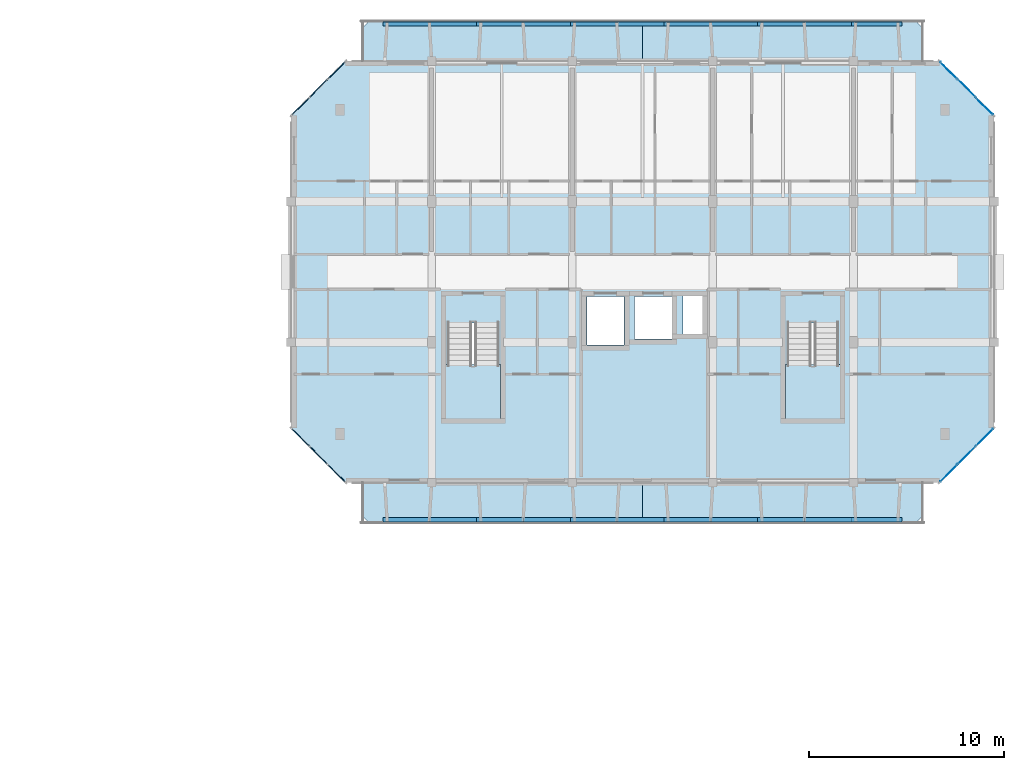
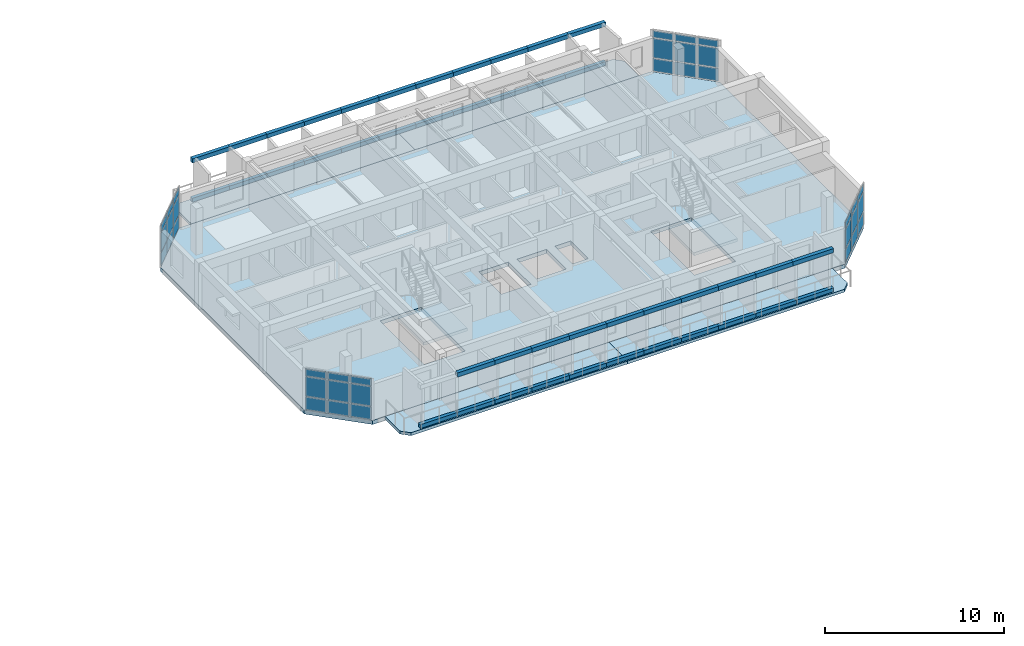
# One storey, part 11 of 30: 79 plates, 7 slabs, 6 elements without a shape of their own.
"""IFC4 building model written with IfcOpenShell, lengths in metres."""

from ifc_helpers import new_model, si_unit, direction, frame, origin, origin_2d, place, context, subcontext, project, spatial, polyline, rectangle, outline, extrude, material, layer, layer_set, type_object, element, aggregate, save


model = new_model("IFC4")

# Units and contexts
model_context = context("Model", 3, precision=1e-05, world=origin(), true_north=direction((0.0, 1.0)))
body_context = subcontext(model_context, "Body", "Model", "MODEL_VIEW")
ifc_project = project(units=[si_unit("LENGTHUNIT", "METRE"), si_unit("AREAUNIT", "SQUARE_METRE"), si_unit("VOLUMEUNIT", "CUBIC_METRE"), si_unit("PLANEANGLEUNIT", "RADIAN"), si_unit("MASSUNIT", "GRAM", prefix="KILO")], contexts=[model_context])

# Site, building, storey
site_placement = place(None, origin())
site = spatial("IfcSite", under=ifc_project, at=site_placement, CompositionType="ELEMENT")
building_placement = place(site_placement, origin())
building = spatial("IfcBuilding", under=site, at=building_placement, Name="Ochrevale Crest", CompositionType="ELEMENT")
storey_placement = place(building_placement, frame((0.0, 0.0, 33.89990234375)))
storey = spatial("IfcBuildingStorey", under=building, at=storey_placement, Name="L10", CompositionType="ELEMENT", Elevation=33.89990234375)

# Curtain wall, plates
ifc_material_1 = material(Name="Anodised aluminium 6063-T5", Category="aluminium")
ifc_layer_1 = layer(ifc_material_1, 0.14990234375)
ifc_layer_set_1 = layer_set([ifc_layer_1], Name="Anodised aluminium 6063-T5")
curtain_wall_type_1 = type_object("IfcCurtainWallType", Name="CW-WG-320x285", PredefinedType="NOTDEFINED", material=ifc_layer_set_1)
curtain_wall_1_placement = place(storey_placement, origin())
curtain_wall_1 = element("IfcCurtainWall", 1, at=curtain_wall_1_placement, inside=storey, type_object=curtain_wall_type_1, Name="Block D L10 chamfered corner wintergarden curtain wall 2", PredefinedType="NOTDEFINED")
ifc_material_2 = material(Name="Double-glazed low-E insulated glass unit", Category="glass")
ifc_layer_2 = layer(ifc_material_2, 0.028076171875)
ifc_layer_set_2 = layer_set([ifc_layer_2], Name="Double-glazed low-E insulated glass unit")
plate_type_1 = type_object("IfcPlateType", Name="CW-PNL-IGU28", PredefinedType="CURTAIN_PANEL", material=ifc_layer_set_2)
plate_1_placement = place(storey_placement, frame((163.280029296875, 72.47998046875, 0.06005859375), z_axis=(0.0, 0.0, 1.0), x_axis=(0.707106781187, 0.707106781187, 0.0)))
plate_1 = element("IfcPlate", 2, at=plate_1_placement, type_object=plate_type_1, Name="CW17 panel 1.1", PredefinedType="CURTAIN_PANEL", context=body_context, shape_type="SweptSolid", body=[
    extrude(rectangle(XDim=1.20751953125, YDim=0.028076171875, at=origin_2d()), origin(), (0.0, 0.0, 1.0), 0.860107421875),
])
plate_2_placement = place(storey_placement, frame((163.280029296875, 72.47998046875, 0.980224609375), z_axis=(0.0, 0.0, 1.0), x_axis=(0.707106781187, 0.707106781187, 0.0)))
plate_2 = element("IfcPlate", 3, at=plate_2_placement, type_object=plate_type_1, Name="CW17 panel 1.2", PredefinedType="CURTAIN_PANEL", context=body_context, shape_type="SweptSolid", body=[
    extrude(rectangle(XDim=1.20751953125, YDim=0.028076171875, at=origin_2d()), origin(), (0.0, 0.0, 1.0), 1.31494140625),
])
plate_3_placement = place(storey_placement, frame((163.280029296875, 72.47998046875, 2.355224609375), z_axis=(0.0, 0.0, 1.0), x_axis=(0.707106781187, 0.707106781187, 0.0)))
plate_3 = element("IfcPlate", 4, at=plate_3_placement, type_object=plate_type_1, Name="CW17 panel 1.3", PredefinedType="CURTAIN_PANEL", context=body_context, shape_type="SweptSolid", body=[
    extrude(rectangle(XDim=1.20751953125, YDim=0.028076171875, at=origin_2d()), origin(), (0.0, 0.0, 1.0), 0.4599609375),
])
plate_4_placement = place(storey_placement, frame((164.199951171875, 73.39990234375, 0.06005859375), z_axis=(0.0, 0.0, 1.0), x_axis=(0.707106781187, 0.707106781187, 0.0)))
plate_4 = element("IfcPlate", 5, at=plate_4_placement, type_object=plate_type_1, Name="CW17 panel 2.1", PredefinedType="CURTAIN_PANEL", context=body_context, shape_type="SweptSolid", body=[
    extrude(rectangle(XDim=1.244873046875, YDim=0.028076171875, at=origin_2d()), origin(), (0.0, 0.0, 1.0), 0.860107421875),
])
plate_5_placement = place(storey_placement, frame((164.199951171875, 73.39990234375, 0.980224609375), z_axis=(0.0, 0.0, 1.0), x_axis=(0.707106781187, 0.707106781187, 0.0)))
plate_5 = element("IfcPlate", 6, at=plate_5_placement, type_object=plate_type_1, Name="CW17 panel 2.2", PredefinedType="CURTAIN_PANEL", context=body_context, shape_type="SweptSolid", body=[
    extrude(rectangle(XDim=1.244873046875, YDim=0.028076171875, at=origin_2d()), origin(), (0.0, 0.0, 1.0), 1.31494140625),
])
plate_6_placement = place(storey_placement, frame((164.199951171875, 73.39990234375, 2.355224609375), z_axis=(0.0, 0.0, 1.0), x_axis=(0.707106781187, 0.707106781187, 0.0)))
plate_6 = element("IfcPlate", 7, at=plate_6_placement, type_object=plate_type_1, Name="CW17 panel 2.3", PredefinedType="CURTAIN_PANEL", context=body_context, shape_type="SweptSolid", body=[
    extrude(rectangle(XDim=1.244873046875, YDim=0.028076171875, at=origin_2d()), origin(), (0.0, 0.0, 1.0), 0.4599609375),
])
plate_7_placement = place(storey_placement, frame((165.1201171875, 74.320068359375, 0.06005859375), z_axis=(0.0, 0.0, 1.0), x_axis=(0.707106781187, 0.707106781187, 0.0)))
plate_7 = element("IfcPlate", 8, at=plate_7_placement, type_object=plate_type_1, Name="CW17 panel 3.1", PredefinedType="CURTAIN_PANEL", context=body_context, shape_type="SweptSolid", body=[
    extrude(rectangle(XDim=1.20751953125, YDim=0.028076171875, at=origin_2d()), origin(), (0.0, 0.0, 1.0), 0.860107421875),
])
plate_8_placement = place(storey_placement, frame((165.1201171875, 74.320068359375, 0.980224609375), z_axis=(0.0, 0.0, 1.0), x_axis=(0.707106781187, 0.707106781187, 0.0)))
plate_8 = element("IfcPlate", 9, at=plate_8_placement, type_object=plate_type_1, Name="CW17 panel 3.2", PredefinedType="CURTAIN_PANEL", context=body_context, shape_type="SweptSolid", body=[
    extrude(rectangle(XDim=1.20751953125, YDim=0.028076171875, at=origin_2d()), origin(), (0.0, 0.0, 1.0), 1.31494140625),
])
plate_9_placement = place(storey_placement, frame((165.1201171875, 74.320068359375, 2.355224609375), z_axis=(0.0, 0.0, 1.0), x_axis=(0.707106781187, 0.707106781187, 0.0)))
plate_9 = element("IfcPlate", 10, at=plate_9_placement, type_object=plate_type_1, Name="CW17 panel 3.3", PredefinedType="CURTAIN_PANEL", context=body_context, shape_type="SweptSolid", body=[
    extrude(rectangle(XDim=1.20751953125, YDim=0.028076171875, at=origin_2d()), origin(), (0.0, 0.0, 1.0), 0.4599609375),
])
aggregate(curtain_wall_1, [plate_1, plate_2, plate_3, plate_4, plate_5, plate_6, plate_7, plate_8, plate_9])

ifc_layer_3 = layer(ifc_material_1, 0.14990234375)
ifc_layer_set_3 = layer_set([ifc_layer_3], Name="Anodised aluminium 6063-T5")
curtain_wall_type_2 = type_object("IfcCurtainWallType", Name="CW-WG-420x285", PredefinedType="NOTDEFINED", material=ifc_layer_set_3)
curtain_wall_2_placement = place(storey_placement, origin())
curtain_wall_2 = element("IfcCurtainWall", 11, at=curtain_wall_2_placement, inside=storey, type_object=curtain_wall_type_2, Name="Block D L10 chamfered corner wintergarden curtain wall 4", PredefinedType="NOTDEFINED")
plate_10_placement = place(storey_placement, frame((165.1201171875, 91.280029296875, 0.06005859375), z_axis=(0.0, 0.0, 1.0), x_axis=(-0.707106781187, 0.707106781187, 0.0)))
plate_10 = element("IfcPlate", 12, at=plate_10_placement, type_object=plate_type_1, Name="CW22 panel 1.1", PredefinedType="CURTAIN_PANEL", context=body_context, shape_type="SweptSolid", body=[
    extrude(rectangle(XDim=1.20751953125, YDim=0.028076171875, at=origin_2d()), origin(), (0.0, 0.0, 1.0), 0.860107421875),
])
plate_11_placement = place(storey_placement, frame((165.1201171875, 91.280029296875, 0.980224609375), z_axis=(0.0, 0.0, 1.0), x_axis=(-0.707106781187, 0.707106781187, 0.0)))
plate_11 = element("IfcPlate", 13, at=plate_11_placement, type_object=plate_type_1, Name="CW22 panel 1.2", PredefinedType="CURTAIN_PANEL", context=body_context, shape_type="SweptSolid", body=[
    extrude(rectangle(XDim=1.20751953125, YDim=0.028076171875, at=origin_2d()), origin(), (0.0, 0.0, 1.0), 1.31494140625),
])
plate_12_placement = place(storey_placement, frame((165.1201171875, 91.280029296875, 2.355224609375), z_axis=(0.0, 0.0, 1.0), x_axis=(-0.707106781187, 0.707106781187, 0.0)))
plate_12 = element("IfcPlate", 14, at=plate_12_placement, type_object=plate_type_1, Name="CW22 panel 1.3", PredefinedType="CURTAIN_PANEL", context=body_context, shape_type="SweptSolid", body=[
    extrude(rectangle(XDim=1.20751953125, YDim=0.028076171875, at=origin_2d()), origin(), (0.0, 0.0, 1.0), 0.4599609375),
])
plate_13_placement = place(storey_placement, frame((164.199951171875, 92.199951171875, 0.06005859375), z_axis=(0.0, 0.0, 1.0), x_axis=(-0.707106781187, 0.707106781187, 0.0)))
plate_13 = element("IfcPlate", 15, at=plate_13_placement, type_object=plate_type_1, Name="CW22 panel 2.1", PredefinedType="CURTAIN_PANEL", context=body_context, shape_type="SweptSolid", body=[
    extrude(rectangle(XDim=1.244873046875, YDim=0.028076171875, at=origin_2d()), origin(), (0.0, 0.0, 1.0), 0.860107421875),
])
plate_14_placement = place(storey_placement, frame((164.199951171875, 92.199951171875, 0.980224609375), z_axis=(0.0, 0.0, 1.0), x_axis=(-0.707106781187, 0.707106781187, 0.0)))
plate_14 = element("IfcPlate", 16, at=plate_14_placement, type_object=plate_type_1, Name="CW22 panel 2.2", PredefinedType="CURTAIN_PANEL", context=body_context, shape_type="SweptSolid", body=[
    extrude(rectangle(XDim=1.244873046875, YDim=0.028076171875, at=origin_2d()), origin(), (0.0, 0.0, 1.0), 1.31494140625),
])
plate_15_placement = place(storey_placement, frame((164.199951171875, 92.199951171875, 2.355224609375), z_axis=(0.0, 0.0, 1.0), x_axis=(-0.707106781187, 0.707106781187, 0.0)))
plate_15 = element("IfcPlate", 17, at=plate_15_placement, type_object=plate_type_1, Name="CW22 panel 2.3", PredefinedType="CURTAIN_PANEL", context=body_context, shape_type="SweptSolid", body=[
    extrude(rectangle(XDim=1.244873046875, YDim=0.028076171875, at=origin_2d()), origin(), (0.0, 0.0, 1.0), 0.4599609375),
])
plate_16_placement = place(storey_placement, frame((163.280029296875, 93.1201171875, 0.06005859375), z_axis=(0.0, 0.0, 1.0), x_axis=(-0.707106781187, 0.707106781187, 0.0)))
plate_16 = element("IfcPlate", 18, at=plate_16_placement, type_object=plate_type_1, Name="CW22 panel 3.1", PredefinedType="CURTAIN_PANEL", context=body_context, shape_type="SweptSolid", body=[
    extrude(rectangle(XDim=1.20751953125, YDim=0.028076171875, at=origin_2d()), origin(), (0.0, 0.0, 1.0), 0.860107421875),
])
plate_17_placement = place(storey_placement, frame((163.280029296875, 93.1201171875, 0.980224609375), z_axis=(0.0, 0.0, 1.0), x_axis=(-0.707106781187, 0.707106781187, 0.0)))
plate_17 = element("IfcPlate", 19, at=plate_17_placement, type_object=plate_type_1, Name="CW22 panel 3.2", PredefinedType="CURTAIN_PANEL", context=body_context, shape_type="SweptSolid", body=[
    extrude(rectangle(XDim=1.20751953125, YDim=0.028076171875, at=origin_2d()), origin(), (0.0, 0.0, 1.0), 1.31494140625),
])
plate_18_placement = place(storey_placement, frame((163.280029296875, 93.1201171875, 2.355224609375), z_axis=(0.0, 0.0, 1.0), x_axis=(-0.707106781187, 0.707106781187, 0.0)))
plate_18 = element("IfcPlate", 20, at=plate_18_placement, type_object=plate_type_1, Name="CW22 panel 3.3", PredefinedType="CURTAIN_PANEL", context=body_context, shape_type="SweptSolid", body=[
    extrude(rectangle(XDim=1.20751953125, YDim=0.028076171875, at=origin_2d()), origin(), (0.0, 0.0, 1.0), 0.4599609375),
])
aggregate(curtain_wall_2, [plate_10, plate_11, plate_12, plate_13, plate_14, plate_15, plate_16, plate_17, plate_18])

ifc_layer_4 = layer(ifc_material_1, 0.14990234375)
ifc_layer_set_4 = layer_set([ifc_layer_4], Name="Anodised aluminium 6063-T5")
curtain_wall_type_3 = type_object("IfcCurtainWallType", Name="CW-WG-280x285", PredefinedType="NOTDEFINED", material=ifc_layer_set_4)
curtain_wall_3_placement = place(storey_placement, origin())
curtain_wall_3 = element("IfcCurtainWall", 21, at=curtain_wall_3_placement, inside=storey, type_object=curtain_wall_type_3, Name="Block D L10 chamfered corner wintergarden curtain wall 6", PredefinedType="NOTDEFINED")
ifc_material_3 = material(Name="Acoustic laminated low-E insulated glass unit", Category="glass")
ifc_layer_5 = layer(ifc_material_3, 0.0380859375)
ifc_layer_set_5 = layer_set([ifc_layer_5], Name="Acoustic laminated low-E insulated glass unit")
plate_type_2 = type_object("IfcPlateType", Name="CW-PNL-IGU38", PredefinedType="CURTAIN_PANEL", material=ifc_layer_set_5)
plate_19_placement = place(storey_placement, frame((131.920166015625, 93.1201171875, 0.06005859375), z_axis=(0.0, 0.0, 1.0), x_axis=(-0.707106781187, -0.707106781187, 0.0)))
plate_19 = element("IfcPlate", 22, at=plate_19_placement, type_object=plate_type_2, Name="CW16 panel 1.1", PredefinedType="CURTAIN_PANEL", context=body_context, shape_type="SweptSolid", body=[
    extrude(rectangle(XDim=1.20751953125, YDim=0.0380859375, at=origin_2d()), origin(), (0.0, 0.0, 1.0), 0.860107421875),
])
plate_20_placement = place(storey_placement, frame((131.920166015625, 93.1201171875, 0.980224609375), z_axis=(0.0, 0.0, 1.0), x_axis=(-0.707106781187, -0.707106781187, 0.0)))
plate_20 = element("IfcPlate", 23, at=plate_20_placement, type_object=plate_type_2, Name="CW16 panel 1.2", PredefinedType="CURTAIN_PANEL", context=body_context, shape_type="SweptSolid", body=[
    extrude(rectangle(XDim=1.20751953125, YDim=0.0380859375, at=origin_2d()), origin(), (0.0, 0.0, 1.0), 1.31494140625),
])
plate_21_placement = place(storey_placement, frame((131.920166015625, 93.1201171875, 2.355224609375), z_axis=(0.0, 0.0, 1.0), x_axis=(-0.707106781187, -0.707106781187, 0.0)))
plate_21 = element("IfcPlate", 24, at=plate_21_placement, type_object=plate_type_2, Name="CW16 panel 1.3", PredefinedType="CURTAIN_PANEL", context=body_context, shape_type="SweptSolid", body=[
    extrude(rectangle(XDim=1.20751953125, YDim=0.0380859375, at=origin_2d()), origin(), (0.0, 0.0, 1.0), 0.4599609375),
])
plate_22_placement = place(storey_placement, frame((131.0, 92.199951171875, 0.06005859375), z_axis=(0.0, 0.0, 1.0), x_axis=(-0.707106781187, -0.707106781187, 0.0)))
plate_22 = element("IfcPlate", 25, at=plate_22_placement, type_object=plate_type_2, Name="CW16 panel 2.1", PredefinedType="CURTAIN_PANEL", context=body_context, shape_type="SweptSolid", body=[
    extrude(rectangle(XDim=1.244873046875, YDim=0.0380859375, at=origin_2d()), origin(), (0.0, 0.0, 1.0), 0.860107421875),
])
plate_23_placement = place(storey_placement, frame((131.0, 92.199951171875, 0.980224609375), z_axis=(0.0, 0.0, 1.0), x_axis=(-0.707106781187, -0.707106781187, 0.0)))
plate_23 = element("IfcPlate", 26, at=plate_23_placement, type_object=plate_type_2, Name="CW16 panel 2.2", PredefinedType="CURTAIN_PANEL", context=body_context, shape_type="SweptSolid", body=[
    extrude(rectangle(XDim=1.244873046875, YDim=0.0380859375, at=origin_2d()), origin(), (0.0, 0.0, 1.0), 1.31494140625),
])
plate_24_placement = place(storey_placement, frame((131.0, 92.199951171875, 2.355224609375), z_axis=(0.0, 0.0, 1.0), x_axis=(-0.707106781187, -0.707106781187, 0.0)))
plate_24 = element("IfcPlate", 27, at=plate_24_placement, type_object=plate_type_2, Name="CW16 panel 2.3", PredefinedType="CURTAIN_PANEL", context=body_context, shape_type="SweptSolid", body=[
    extrude(rectangle(XDim=1.244873046875, YDim=0.0380859375, at=origin_2d()), origin(), (0.0, 0.0, 1.0), 0.4599609375),
])
plate_25_placement = place(storey_placement, frame((130.079833984375, 91.280029296875, 0.06005859375), z_axis=(0.0, 0.0, 1.0), x_axis=(-0.707106781187, -0.707106781187, 0.0)))
plate_25 = element("IfcPlate", 28, at=plate_25_placement, type_object=plate_type_2, Name="CW16 panel 3.1", PredefinedType="CURTAIN_PANEL", context=body_context, shape_type="SweptSolid", body=[
    extrude(rectangle(XDim=1.20751953125, YDim=0.0380859375, at=origin_2d()), origin(), (0.0, 0.0, 1.0), 0.860107421875),
])
plate_26_placement = place(storey_placement, frame((130.079833984375, 91.280029296875, 0.980224609375), z_axis=(0.0, 0.0, 1.0), x_axis=(-0.707106781187, -0.707106781187, 0.0)))
plate_26 = element("IfcPlate", 29, at=plate_26_placement, type_object=plate_type_2, Name="CW16 panel 3.2", PredefinedType="CURTAIN_PANEL", context=body_context, shape_type="SweptSolid", body=[
    extrude(rectangle(XDim=1.20751953125, YDim=0.0380859375, at=origin_2d()), origin(), (0.0, 0.0, 1.0), 1.31494140625),
])
plate_27_placement = place(storey_placement, frame((130.079833984375, 91.280029296875, 2.355224609375), z_axis=(0.0, 0.0, 1.0), x_axis=(-0.707106781187, -0.707106781187, 0.0)))
plate_27 = element("IfcPlate", 30, at=plate_27_placement, type_object=plate_type_2, Name="CW16 panel 3.3", PredefinedType="CURTAIN_PANEL", context=body_context, shape_type="SweptSolid", body=[
    extrude(rectangle(XDim=1.20751953125, YDim=0.0380859375, at=origin_2d()), origin(), (0.0, 0.0, 1.0), 0.4599609375),
])
aggregate(curtain_wall_3, [plate_19, plate_20, plate_21, plate_22, plate_23, plate_24, plate_25, plate_26, plate_27])

ifc_layer_6 = layer(ifc_material_1, 0.14990234375)
ifc_layer_set_6 = layer_set([ifc_layer_6], Name="Anodised aluminium 6063-T5")
curtain_wall_type_4 = type_object("IfcCurtainWallType", Name="CW-WG-360x285", PredefinedType="NOTDEFINED", material=ifc_layer_set_6)
curtain_wall_4_placement = place(storey_placement, origin())
curtain_wall_4 = element("IfcCurtainWall", 31, at=curtain_wall_4_placement, inside=storey, type_object=curtain_wall_type_4, Name="Block D L10 chamfered corner wintergarden curtain wall 8", PredefinedType="NOTDEFINED")
plate_28_placement = place(storey_placement, frame((130.079833984375, 74.320068359375, 0.06005859375), z_axis=(0.0, 0.0, 1.0), x_axis=(0.707106781187, -0.707106781187, 0.0)))
plate_28 = element("IfcPlate", 32, at=plate_28_placement, type_object=plate_type_2, Name="CW18 panel 1.1", PredefinedType="CURTAIN_PANEL", context=body_context, shape_type="SweptSolid", body=[
    extrude(rectangle(XDim=1.20751953125, YDim=0.0380859375, at=origin_2d()), origin(), (0.0, 0.0, 1.0), 0.860107421875),
])
plate_29_placement = place(storey_placement, frame((130.079833984375, 74.320068359375, 0.980224609375), z_axis=(0.0, 0.0, 1.0), x_axis=(0.707106781187, -0.707106781187, 0.0)))
plate_29 = element("IfcPlate", 33, at=plate_29_placement, type_object=plate_type_2, Name="CW18 panel 1.2", PredefinedType="CURTAIN_PANEL", context=body_context, shape_type="SweptSolid", body=[
    extrude(rectangle(XDim=1.20751953125, YDim=0.0380859375, at=origin_2d()), origin(), (0.0, 0.0, 1.0), 1.31494140625),
])
plate_30_placement = place(storey_placement, frame((130.079833984375, 74.320068359375, 2.355224609375), z_axis=(0.0, 0.0, 1.0), x_axis=(0.707106781187, -0.707106781187, 0.0)))
plate_30 = element("IfcPlate", 34, at=plate_30_placement, type_object=plate_type_2, Name="CW18 panel 1.3", PredefinedType="CURTAIN_PANEL", context=body_context, shape_type="SweptSolid", body=[
    extrude(rectangle(XDim=1.20751953125, YDim=0.0380859375, at=origin_2d()), origin(), (0.0, 0.0, 1.0), 0.4599609375),
])
plate_31_placement = place(storey_placement, frame((131.0, 73.39990234375, 0.06005859375), z_axis=(0.0, 0.0, 1.0), x_axis=(0.707106781187, -0.707106781187, 0.0)))
plate_31 = element("IfcPlate", 35, at=plate_31_placement, type_object=plate_type_2, Name="CW18 panel 2.1", PredefinedType="CURTAIN_PANEL", context=body_context, shape_type="SweptSolid", body=[
    extrude(rectangle(XDim=1.244873046875, YDim=0.0380859375, at=origin_2d()), origin(), (0.0, 0.0, 1.0), 0.860107421875),
])
plate_32_placement = place(storey_placement, frame((131.0, 73.39990234375, 0.980224609375), z_axis=(0.0, 0.0, 1.0), x_axis=(0.707106781187, -0.707106781187, 0.0)))
plate_32 = element("IfcPlate", 36, at=plate_32_placement, type_object=plate_type_2, Name="CW18 panel 2.2", PredefinedType="CURTAIN_PANEL", context=body_context, shape_type="SweptSolid", body=[
    extrude(rectangle(XDim=1.244873046875, YDim=0.0380859375, at=origin_2d()), origin(), (0.0, 0.0, 1.0), 1.31494140625),
])
plate_33_placement = place(storey_placement, frame((131.0, 73.39990234375, 2.355224609375), z_axis=(0.0, 0.0, 1.0), x_axis=(0.707106781187, -0.707106781187, 0.0)))
plate_33 = element("IfcPlate", 37, at=plate_33_placement, type_object=plate_type_2, Name="CW18 panel 2.3", PredefinedType="CURTAIN_PANEL", context=body_context, shape_type="SweptSolid", body=[
    extrude(rectangle(XDim=1.244873046875, YDim=0.0380859375, at=origin_2d()), origin(), (0.0, 0.0, 1.0), 0.4599609375),
])
plate_34_placement = place(storey_placement, frame((131.920166015625, 72.47998046875, 0.06005859375), z_axis=(0.0, 0.0, 1.0), x_axis=(0.707106781187, -0.707106781187, 0.0)))
plate_34 = element("IfcPlate", 38, at=plate_34_placement, type_object=plate_type_2, Name="CW18 panel 3.1", PredefinedType="CURTAIN_PANEL", context=body_context, shape_type="SweptSolid", body=[
    extrude(rectangle(XDim=1.20751953125, YDim=0.0380859375, at=origin_2d()), origin(), (0.0, 0.0, 1.0), 0.860107421875),
])
plate_35_placement = place(storey_placement, frame((131.920166015625, 72.47998046875, 0.980224609375), z_axis=(0.0, 0.0, 1.0), x_axis=(0.707106781187, -0.707106781187, 0.0)))
plate_35 = element("IfcPlate", 39, at=plate_35_placement, type_object=plate_type_2, Name="CW18 panel 3.2", PredefinedType="CURTAIN_PANEL", context=body_context, shape_type="SweptSolid", body=[
    extrude(rectangle(XDim=1.20751953125, YDim=0.0380859375, at=origin_2d()), origin(), (0.0, 0.0, 1.0), 1.31494140625),
])
plate_36_placement = place(storey_placement, frame((131.920166015625, 72.47998046875, 2.355224609375), z_axis=(0.0, 0.0, 1.0), x_axis=(0.707106781187, -0.707106781187, 0.0)))
plate_36 = element("IfcPlate", 40, at=plate_36_placement, type_object=plate_type_2, Name="CW18 panel 3.3", PredefinedType="CURTAIN_PANEL", context=body_context, shape_type="SweptSolid", body=[
    extrude(rectangle(XDim=1.20751953125, YDim=0.0380859375, at=origin_2d()), origin(), (0.0, 0.0, 1.0), 0.4599609375),
])
aggregate(curtain_wall_4, [plate_28, plate_29, plate_30, plate_31, plate_32, plate_33, plate_34, plate_35, plate_36])

# Plates
ifc_material_4 = material(Name="Precast concrete C40/50", Category="concrete")
ifc_layer_7 = layer(ifc_material_4, 0.06005859375)
ifc_layer_set_7 = layer_set([ifc_layer_7], Name="Precast concrete C40/50")
plate_type_3 = type_object("IfcPlateType", Name="PLT-HC-HEAD-60", PredefinedType="USERDEFINED", material=ifc_layer_set_7)
for number, where, z_axis, x_axis, name in (
    (41, (138.0, 70.10009765625, 2.669921875), (0.0, 0.0, 1.0), (1.0, 0.0, 0.0), "Block D L10 S honeycomb arched lintel fascia 2"),
    (42, (140.39990234375, 70.10009765625, 2.669921875), (0.0, 0.0, 1.0), (1.0, 0.0, 0.0), "Block D L10 S honeycomb arched lintel fascia 3"),
    (43, (142.800048828125, 70.10009765625, 2.669921875), (0.0, 0.0, 1.0), (1.0, 0.0, 0.0), "Block D L10 S honeycomb arched lintel fascia 4"),
    (44, (145.199951171875, 70.10009765625, 2.669921875), (0.0, 0.0, 1.0), (1.0, 0.0, 0.0), "Block D L10 S honeycomb arched lintel fascia 5"),
    (45, (147.60009765625, 70.10009765625, 2.669921875), (0.0, 0.0, 1.0), (1.0, 0.0, 0.0), "Block D L10 S honeycomb arched lintel fascia 6"),
    (46, (150.0, 70.10009765625, 2.669921875), (0.0, 0.0, 1.0), (1.0, 0.0, 0.0), "Block D L10 S honeycomb arched lintel fascia 7"),
    (47, (152.39990234375, 70.10009765625, 2.669921875), (0.0, 0.0, 1.0), (1.0, 0.0, 0.0), "Block D L10 S honeycomb arched lintel fascia 8"),
    (48, (154.800048828125, 70.10009765625, 2.669921875), (0.0, 0.0, 1.0), (1.0, 0.0, 0.0), "Block D L10 S honeycomb arched lintel fascia 9"),
    (49, (157.199951171875, 70.10009765625, 2.669921875), (0.0, 0.0, 1.0), (1.0, 0.0, 0.0), "Block D L10 S honeycomb arched lintel fascia 10"),
    (50, (159.60009765625, 70.10009765625, 2.669921875), (0.0, 0.0, 1.0), (1.0, 0.0, 0.0), "Block D L10 S honeycomb arched lintel fascia 11"),
    (51, (135.60009765625, 95.5, 2.669921875), (0.0, 0.0, 1.0), (1.0, 0.0, 0.0), "Block D L10 N honeycomb arched lintel fascia 1"),
    (52, (138.0, 95.5, 2.669921875), (0.0, 0.0, 1.0), (1.0, 0.0, 0.0), "Block D L10 N honeycomb arched lintel fascia 2"),
    (53, (140.39990234375, 95.5, 2.669921875), (0.0, 0.0, 1.0), (1.0, 0.0, 0.0), "Block D L10 N honeycomb arched lintel fascia 3"),
    (54, (142.800048828125, 95.5, 2.669921875), (0.0, 0.0, 1.0), (1.0, 0.0, 0.0), "Block D L10 N honeycomb arched lintel fascia 4"),
    (55, (145.199951171875, 95.5, 2.669921875), (0.0, 0.0, 1.0), (1.0, 0.0, 0.0), "Block D L10 N honeycomb arched lintel fascia 5"),
    (56, (147.60009765625, 95.5, 2.669921875), (0.0, 0.0, 1.0), (1.0, 0.0, 0.0), "Block D L10 N honeycomb arched lintel fascia 6"),
    (57, (150.0, 95.5, 2.669921875), (0.0, 0.0, 1.0), (1.0, 0.0, 0.0), "Block D L10 N honeycomb arched lintel fascia 7"),
    (58, (152.39990234375, 95.5, 2.669921875), (0.0, 0.0, 1.0), (1.0, 0.0, 0.0), "Block D L10 N honeycomb arched lintel fascia 8"),
    (59, (154.800048828125, 95.5, 2.669921875), (0.0, 0.0, 1.0), (1.0, 0.0, 0.0), "Block D L10 N honeycomb arched lintel fascia 9"),
    (60, (157.199951171875, 95.5, 2.669921875), (0.0, 0.0, 1.0), (1.0, 0.0, 0.0), "Block D L10 N honeycomb arched lintel fascia 10"),
    (61, (159.60009765625, 95.5, 2.669921875), (0.0, 0.0, 1.0), (1.0, 0.0, 0.0), "Block D L10 N honeycomb arched lintel fascia 11"),
):
    element("IfcPlate", number, at=place(storey_placement, frame(where, z_axis=z_axis, x_axis=x_axis)), inside=storey, type_object=plate_type_3, Name=name, ObjectType="FACADE FASCIA PLATE", PredefinedType="USERDEFINED", context=body_context, shape_type="SweptSolid", body=[
        extrude(rectangle(XDim=2.60009765625, YDim=0.239990234375, at=origin_2d()), origin(), (0.0, 0.0, 1.0), 0.280029296875),
    ])
ifc_layer_8 = layer(ifc_material_4, 0.044921875)
ifc_layer_set_8 = layer_set([ifc_layer_8], Name="Precast concrete C40/50")
plate_type_4 = type_object("IfcPlateType", Name="PLT-HC-SILL-45", PredefinedType="USERDEFINED", material=ifc_layer_set_8)
for number, where, z_axis, x_axis, name in (
    (62, (135.60009765625, 70.10009765625, 0.0), (0.0, 0.0, 1.0), (1.0, 0.0, 0.0), "Block D L10 S honeycomb sill coping plate 1"),
    (63, (138.0, 70.10009765625, 0.0), (0.0, 0.0, 1.0), (1.0, 0.0, 0.0), "Block D L10 S honeycomb sill coping plate 2"),
    (64, (140.39990234375, 70.10009765625, 0.0), (0.0, 0.0, 1.0), (1.0, 0.0, 0.0), "Block D L10 S honeycomb sill coping plate 3"),
    (65, (142.800048828125, 70.10009765625, 0.0), (0.0, 0.0, 1.0), (1.0, 0.0, 0.0), "Block D L10 S honeycomb sill coping plate 4"),
    (66, (145.199951171875, 70.10009765625, 0.0), (0.0, 0.0, 1.0), (1.0, 0.0, 0.0), "Block D L10 S honeycomb sill coping plate 5"),
    (67, (147.60009765625, 70.10009765625, 0.0), (0.0, 0.0, 1.0), (1.0, 0.0, 0.0), "Block D L10 S honeycomb sill coping plate 6"),
    (68, (150.0, 70.10009765625, 0.0), (0.0, 0.0, 1.0), (1.0, 0.0, 0.0), "Block D L10 S honeycomb sill coping plate 7"),
    (69, (152.39990234375, 70.10009765625, 0.0), (0.0, 0.0, 1.0), (1.0, 0.0, 0.0), "Block D L10 S honeycomb sill coping plate 8"),
    (70, (154.800048828125, 70.10009765625, 0.0), (0.0, 0.0, 1.0), (1.0, 0.0, 0.0), "Block D L10 S honeycomb sill coping plate 9"),
    (71, (157.199951171875, 70.10009765625, 0.0), (0.0, 0.0, 1.0), (1.0, 0.0, 0.0), "Block D L10 S honeycomb sill coping plate 10"),
    (72, (159.60009765625, 70.10009765625, 0.0), (0.0, 0.0, 1.0), (1.0, 0.0, 0.0), "Block D L10 S honeycomb sill coping plate 11"),
    (73, (135.60009765625, 95.5, 0.0), (0.0, 0.0, 1.0), (1.0, 0.0, 0.0), "Block D L10 N honeycomb sill coping plate 1"),
    (74, (138.0, 95.5, 0.0), (0.0, 0.0, 1.0), (1.0, 0.0, 0.0), "Block D L10 N honeycomb sill coping plate 2"),
    (75, (140.39990234375, 95.5, 0.0), (0.0, 0.0, 1.0), (1.0, 0.0, 0.0), "Block D L10 N honeycomb sill coping plate 3"),
    (76, (142.800048828125, 95.5, 0.0), (0.0, 0.0, 1.0), (1.0, 0.0, 0.0), "Block D L10 N honeycomb sill coping plate 4"),
    (77, (145.199951171875, 95.5, 0.0), (0.0, 0.0, 1.0), (1.0, 0.0, 0.0), "Block D L10 N honeycomb sill coping plate 5"),
    (78, (147.60009765625, 95.5, 0.0), (0.0, 0.0, 1.0), (1.0, 0.0, 0.0), "Block D L10 N honeycomb sill coping plate 6"),
    (79, (150.0, 95.5, 0.0), (0.0, 0.0, 1.0), (1.0, 0.0, 0.0), "Block D L10 N honeycomb sill coping plate 7"),
    (80, (152.39990234375, 95.5, 0.0), (0.0, 0.0, 1.0), (1.0, 0.0, 0.0), "Block D L10 N honeycomb sill coping plate 8"),
    (81, (154.800048828125, 95.5, 0.0), (0.0, 0.0, 1.0), (1.0, 0.0, 0.0), "Block D L10 N honeycomb sill coping plate 9"),
    (82, (157.199951171875, 95.5, 0.0), (0.0, 0.0, 1.0), (1.0, 0.0, 0.0), "Block D L10 N honeycomb sill coping plate 10"),
    (83, (159.60009765625, 95.5, 0.0), (0.0, 0.0, 1.0), (1.0, 0.0, 0.0), "Block D L10 N honeycomb sill coping plate 11"),
):
    element("IfcPlate", number, at=place(storey_placement, frame(where, z_axis=z_axis, x_axis=x_axis)), inside=storey, type_object=plate_type_4, Name=name, ObjectType="SILL COPING PLATE", PredefinedType="USERDEFINED", context=body_context, shape_type="SweptSolid", body=[
        extrude(rectangle(XDim=2.60009765625, YDim=0.219970703125, at=origin_2d()), origin(), (0.0, 0.0, 1.0), 0.260009765625),
    ])

# Slabs
ifc_layer_9 = layer(ifc_material_4, 0.199951171875)
ifc_layer_set_9 = layer_set([ifc_layer_9], Name="Precast concrete C40/50")
slab_type_1 = type_object("IfcSlabType", Name="SLB-BAL-200", PredefinedType="FLOOR", material=ifc_layer_set_9)
slab_1_placement = place(storey_placement, frame((0.0, 0.0, -0.199951171875)))
element("IfcSlab", 84, at=slab_1_placement, inside=storey, type_object=slab_type_1, Name="Block D L10 S1 precast loggia balcony slab", PredefinedType="FLOOR", context=body_context, shape_type="SweptSolid", body=[
    extrude(outline(polyline([(133.64990234375, 69.89990234375), (147.60009765625, 69.89990234375), (147.60009765625, 72.0), (133.199951171875, 72.0), (133.199951171875, 70.35009765625), (133.64990234375, 69.89990234375)])), origin(), (0.0, 0.0, 1.0), 0.199951171875),
])
slab_2_placement = place(storey_placement, frame((0.0, 0.0, -0.199951171875)))
element("IfcSlab", 85, at=slab_2_placement, inside=storey, type_object=slab_type_1, Name="Block D L10 S2 precast loggia balcony slab", PredefinedType="FLOOR", context=body_context, shape_type="SweptSolid", body=[
    extrude(outline(polyline([(147.60009765625, 69.89990234375), (161.550048828125, 69.89990234375), (162.0, 70.35009765625), (162.0, 72.0), (147.60009765625, 72.0), (147.60009765625, 69.89990234375)])), origin(), (0.0, 0.0, 1.0), 0.199951171875),
])
slab_3_placement = place(storey_placement, frame((0.0, 0.0, -0.199951171875)))
element("IfcSlab", 86, at=slab_3_placement, inside=storey, type_object=slab_type_1, Name="Block D L10 N1 precast loggia balcony slab", PredefinedType="FLOOR", context=body_context, shape_type="SweptSolid", body=[
    extrude(outline(polyline([(133.199951171875, 93.60009765625), (147.60009765625, 93.60009765625), (147.60009765625, 95.699951171875), (133.64990234375, 95.699951171875), (133.199951171875, 95.25), (133.199951171875, 93.60009765625)])), origin(), (0.0, 0.0, 1.0), 0.199951171875),
])
slab_4_placement = place(storey_placement, frame((0.0, 0.0, -0.199951171875)))
element("IfcSlab", 87, at=slab_4_placement, inside=storey, type_object=slab_type_1, Name="Block D L10 N2 precast loggia balcony slab", PredefinedType="FLOOR", context=body_context, shape_type="SweptSolid", body=[
    extrude(outline(polyline([(147.60009765625, 93.60009765625), (162.0, 93.60009765625), (162.0, 95.25), (161.550048828125, 95.699951171875), (147.60009765625, 95.699951171875), (147.60009765625, 93.60009765625)])), origin(), (0.0, 0.0, 1.0), 0.199951171875),
])
ifc_layer_10 = layer(ifc_material_4, 0.27490234375)
ifc_layer_set_10 = layer_set([ifc_layer_10], Name="Precast concrete C40/50")
slab_type_2 = type_object("IfcSlabType", Name="SLB-RES-275", PredefinedType="FLOOR", material=ifc_layer_set_10)
slab_5_placement = place(storey_placement, frame((0.0, 0.0, -0.27490234375)))
element("IfcSlab", 88, at=slab_5_placement, inside=storey, type_object=slab_type_2, Name="Block D L10 composite hollowcore floor slab", PredefinedType="FLOOR", context=body_context, shape_type="SweptSolid", body=[
    extrude(outline(polyline([(132.39990234375, 72.0), (162.800048828125, 72.0), (165.60009765625, 74.800048828125), (165.60009765625, 90.800048828125), (162.800048828125, 93.60009765625), (132.39990234375, 93.60009765625), (129.60009765625, 90.800048828125), (129.60009765625, 74.800048828125), (132.39990234375, 72.0)]), holes=[polyline([(137.60009765625, 80.175048828125), (137.60009765625, 75.27490234375), (140.25, 75.27490234375), (140.25, 80.175048828125), (137.60009765625, 80.175048828125)]), polyline([(155.0, 80.175048828125), (155.0, 75.27490234375), (157.64990234375, 75.27490234375), (157.64990234375, 80.175048828125), (155.0, 80.175048828125)]), polyline([(144.75, 79.050048828125), (146.64990234375, 79.050048828125), (146.64990234375, 81.550048828125), (144.75, 81.550048828125), (144.75, 79.050048828125)]), polyline([(147.199951171875, 79.35009765625), (149.10009765625, 79.35009765625), (149.10009765625, 81.550048828125), (147.199951171875, 81.550048828125), (147.199951171875, 79.35009765625)]), polyline([(149.669921875, 79.6201171875), (150.679931640625, 79.6201171875), (150.679931640625, 81.580078125), (149.669921875, 81.580078125), (149.669921875, 79.6201171875)])]), origin(), (0.0, 0.0, 1.0), 0.27490234375),
])

# Stair, slab
stair_type = type_object("IfcStairType", Name="ST-CORE-DOG", PredefinedType="HALF_TURN_STAIR", material=ifc_material_4)
stair_1_placement = place(storey_placement, origin())
stair_1 = element("IfcStair", 89, at=stair_1_placement, inside=storey, type_object=stair_type, Name="L10 Block D Fire Stair 1", PredefinedType="HALF_TURN_STAIR")
ifc_layer_11 = layer(ifc_material_4, 0.199951171875)
ifc_layer_set_11 = layer_set([ifc_layer_11], Name="Precast concrete C40/50")
slab_type_3 = type_object("IfcSlabType", Name="SLB-ST-LAND", PredefinedType="LANDING", material=ifc_layer_set_11)
slab_6_placement = place(storey_placement, frame((0.0, 0.0, 1.375)))
slab_6 = element("IfcSlab", 90, at=slab_6_placement, type_object=slab_type_3, Name="ST-D1 landing 1", PredefinedType="LANDING", context=body_context, shape_type="SweptSolid", body=[
    extrude(outline(polyline([(137.52001953125, 78.06494140625), (137.52001953125, 75.195068359375), (140.330078125, 75.195068359375), (140.330078125, 78.06494140625), (137.52001953125, 78.06494140625)])), origin(), (0.0, 0.0, 1.0), 0.2001953125),
])
aggregate(stair_1, [slab_6])

stair_2_placement = place(storey_placement, origin())
stair_2 = element("IfcStair", 91, at=stair_2_placement, inside=storey, type_object=stair_type, Name="L10 Block D Fire Stair 2", PredefinedType="HALF_TURN_STAIR")
slab_7_placement = place(storey_placement, frame((0.0, 0.0, 1.375)))
slab_7 = element("IfcSlab", 92, at=slab_7_placement, type_object=slab_type_3, Name="ST-D2 landing 1", PredefinedType="LANDING", context=body_context, shape_type="SweptSolid", body=[
    extrude(outline(polyline([(154.919921875, 78.06494140625), (154.919921875, 75.195068359375), (157.72998046875, 75.195068359375), (157.72998046875, 78.06494140625), (154.919921875, 78.06494140625)])), origin(), (0.0, 0.0, 1.0), 0.2001953125),
])
aggregate(stair_2, [slab_7])

save(model, "model.ifc")
